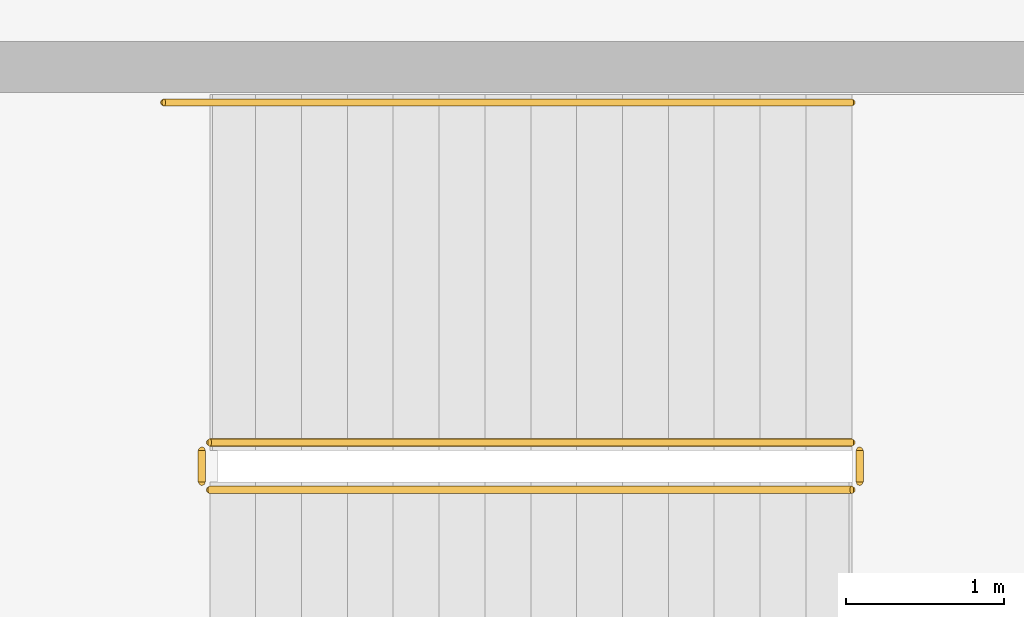
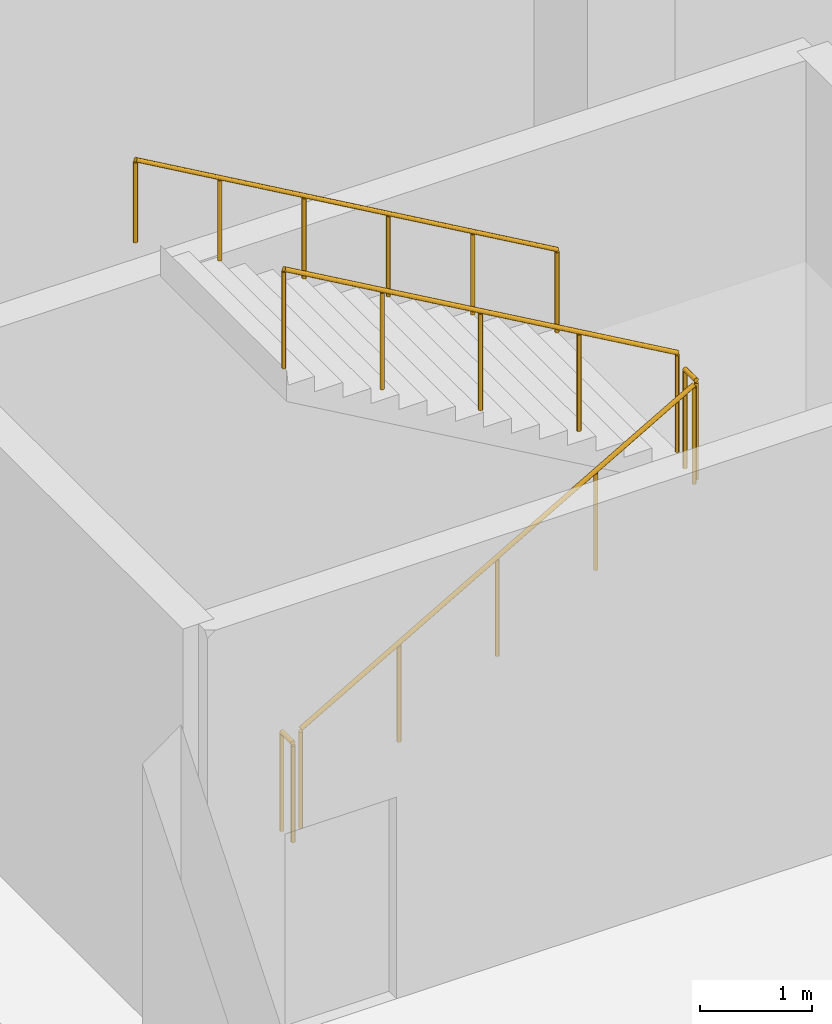
# One storey, part 70 of 73: 5 railings.
"""IFC4 building model written with IfcOpenShell, lengths in metres."""

from ifc_helpers import new_model, si_unit, direction, frame, origin, origin_2d, place, context, subcontext, project, spatial, circle, extrude, material, type_object, element, save


model = new_model("IFC4")

# Units and contexts
model_context = context("Model", 3, precision=1e-05, world=origin(), true_north=direction((0.0, 1.0)))
body_context = subcontext(model_context, "Body", "Model", "MODEL_VIEW")
ifc_project = project(units=[si_unit("LENGTHUNIT", "METRE"), si_unit("AREAUNIT", "SQUARE_METRE"), si_unit("VOLUMEUNIT", "CUBIC_METRE"), si_unit("PLANEANGLEUNIT", "RADIAN"), si_unit("MASSUNIT", "GRAM", prefix="KILO")], contexts=[model_context])

# Site, building, storey
site_placement = place(None, origin())
site = spatial("IfcSite", under=ifc_project, at=site_placement, CompositionType="ELEMENT")
building_placement = place(site_placement, origin())
building = spatial("IfcBuilding", under=site, at=building_placement, Name="Trimount Lyric Opera House", CompositionType="ELEMENT")
storey_placement = place(building_placement, frame((0.0, 0.0, 10.0)))
storey = spatial("IfcBuildingStorey", under=building, at=storey_placement, Name="L02", CompositionType="ELEMENT", Elevation=10.0)

# Railings
ifc_material_1 = material(Name="Brushed Stainless Steel 316", Category="steel")
railing_type_1 = type_object("IfcRailingType", Name="RL-GRD110", PredefinedType="GUARDRAIL", material=ifc_material_1)
railing_1_placement = place(storey_placement, frame((67.050048828125, 110.60009765625, 0.166748046875)))
element("IfcRailing", 1, at=railing_1_placement, inside=storey, type_object=railing_type_1, Name="L02 ST-01 stair guard 1", PredefinedType="GUARDRAIL", context=body_context, shape_type="SweptSolid", body=[
    extrude(circle(Radius=0.02392578125, at=origin_2d()), frame((0.0, 0.0, 1.076171875), z_axis=(0.867024558463, 0.0, 0.498265406207), x_axis=(0.0, 1.0, 0.0)), (0.0, 0.0, 1.0), 4.682861328125),
    extrude(circle(Radius=0.02099609375, at=origin_2d()), origin(), (0.0, 0.0, 1.0), 1.052001953125),
    extrude(circle(Radius=0.02099609375, at=origin_2d()), frame((1.01513671875, 0.0, 0.583251953125)), (0.0, 0.0, 1.0), 1.052001953125),
    extrude(circle(Radius=0.02099609375, at=origin_2d()), frame((2.030029296875, 0.0, 1.16650390625)), (0.0, 0.0, 1.0), 1.052001953125),
    extrude(circle(Radius=0.02099609375, at=origin_2d()), frame((3.044921875, 0.0, 1.75)), (0.0, 0.0, 1.0), 1.052001953125),
    extrude(circle(Radius=0.02099609375, at=origin_2d()), frame((4.06005859375, 0.0, 2.333251953125)), (0.0, 0.0, 1.0), 1.052001953125),
])
railing_2_placement = place(storey_placement, frame((71.159912109375, 110.64990234375, 2.5)))
element("IfcRailing", 2, at=railing_2_placement, inside=storey, type_object=railing_type_1, Name="L02 ST-01 stair guard 2", PredefinedType="GUARDRAIL", context=body_context, shape_type="SweptSolid", body=[
    extrude(circle(Radius=0.02392578125, at=origin_2d()), frame((0.0, 0.0, 1.076171875), z_axis=(0.0, 1.0, 0.0), x_axis=(-1.0, 0.0, 0.0)), (0.0, 0.0, 1.0), 0.2001953125),
    extrude(circle(Radius=0.02099609375, at=origin_2d()), origin(), (0.0, 0.0, 1.0), 1.052001953125),
    extrude(circle(Radius=0.02099609375, at=origin_2d()), frame((0.0, 0.2001953125, 0.0)), (0.0, 0.0, 1.0), 1.052001953125),
])
railing_3_placement = place(storey_placement, frame((71.110107421875, 110.89990234375, 2.666748046875)))
element("IfcRailing", 3, at=railing_3_placement, inside=storey, type_object=railing_type_1, Name="L02 ST-01 stair guard 3", PredefinedType="GUARDRAIL", context=body_context, shape_type="SweptSolid", body=[
    extrude(circle(Radius=0.02392578125, at=origin_2d()), frame((0.0, 0.0, 1.076171875), z_axis=(-0.867024558463, 0.0, 0.498265406207), x_axis=(0.0, -1.0, 0.0)), (0.0, 0.0, 1.0), 4.682861328125),
    extrude(circle(Radius=0.02099609375, at=origin_2d()), origin(), (0.0, 0.0, 1.0), 1.052001953125),
    extrude(circle(Radius=0.02099609375, at=origin_2d()), frame((-1.01513671875, 0.0, 0.583251953125)), (0.0, 0.0, 1.0), 1.052001953125),
    extrude(circle(Radius=0.02099609375, at=origin_2d()), frame((-2.030029296875, 0.0, 1.16650390625)), (0.0, 0.0, 1.0), 1.052001953125),
    extrude(circle(Radius=0.02099609375, at=origin_2d()), frame((-3.044921875, 0.0, 1.75)), (0.0, 0.0, 1.0), 1.052001953125),
    extrude(circle(Radius=0.02099609375, at=origin_2d()), frame((-4.06005859375, 0.0, 2.333251953125)), (0.0, 0.0, 1.0), 1.052001953125),
])
railing_4_placement = place(storey_placement, frame((67.0, 110.64990234375, 0.0)))
element("IfcRailing", 4, at=railing_4_placement, inside=storey, type_object=railing_type_1, Name="L02 ST-01 stair guard 4", PredefinedType="GUARDRAIL", context=body_context, shape_type="SweptSolid", body=[
    extrude(circle(Radius=0.02392578125, at=origin_2d()), frame((0.0, 0.0, 1.076171875), z_axis=(0.0, 1.0, 0.0), x_axis=(-1.0, 0.0, 0.0)), (0.0, 0.0, 1.0), 0.2001953125),
    extrude(circle(Radius=0.02099609375, at=origin_2d()), origin(), (0.0, 0.0, 1.0), 1.052001953125),
    extrude(circle(Radius=0.02099609375, at=origin_2d()), frame((0.0, 0.2001953125, 0.0)), (0.0, 0.0, 1.0), 1.052001953125),
])
ifc_material_2 = material(Name="Brushed Stainless Steel 316", Category="steel")
railing_type_2 = type_object("IfcRailingType", Name="RL-HND092", PredefinedType="HANDRAIL", material=ifc_material_2)
railing_5_placement = place(storey_placement, frame((71.110107421875, 113.050048828125, 2.666748046875)))
element("IfcRailing", 5, at=railing_5_placement, inside=storey, type_object=railing_type_2, Name="L02 ST-01 stair handrail 2", PredefinedType="HANDRAIL", context=body_context, shape_type="SweptSolid", body=[
    extrude(circle(Radius=0.0224609375, at=origin_2d()), frame((0.0, 0.0, 0.8974609375), z_axis=(-0.866766478692, 0.0, 0.498714218181), x_axis=(0.0, -1.0, 0.0)), (0.0, 0.0, 1.0), 5.018798828125),
    extrude(circle(Radius=0.02099609375, at=origin_2d()), origin(), (0.0, 0.0, 1.0), 0.875),
    extrude(circle(Radius=0.02099609375, at=origin_2d()), frame((-0.8701171875, 0.0, 0.50048828125)), (0.0, 0.0, 1.0), 0.875),
    extrude(circle(Radius=0.02099609375, at=origin_2d()), frame((-1.739990234375, 0.0, 1.001220703125)), (0.0, 0.0, 1.0), 0.875),
    extrude(circle(Radius=0.02099609375, at=origin_2d()), frame((-2.610107421875, 0.0, 1.501708984375)), (0.0, 0.0, 1.0), 0.875),
    extrude(circle(Radius=0.02099609375, at=origin_2d()), frame((-3.47998046875, 0.0, 2.00244140625)), (0.0, 0.0, 1.0), 0.875),
    extrude(circle(Radius=0.02099609375, at=origin_2d()), frame((-4.35009765625, 0.0, 2.5029296875)), (0.0, 0.0, 1.0), 0.875),
])

save(model, "model.ifc")
